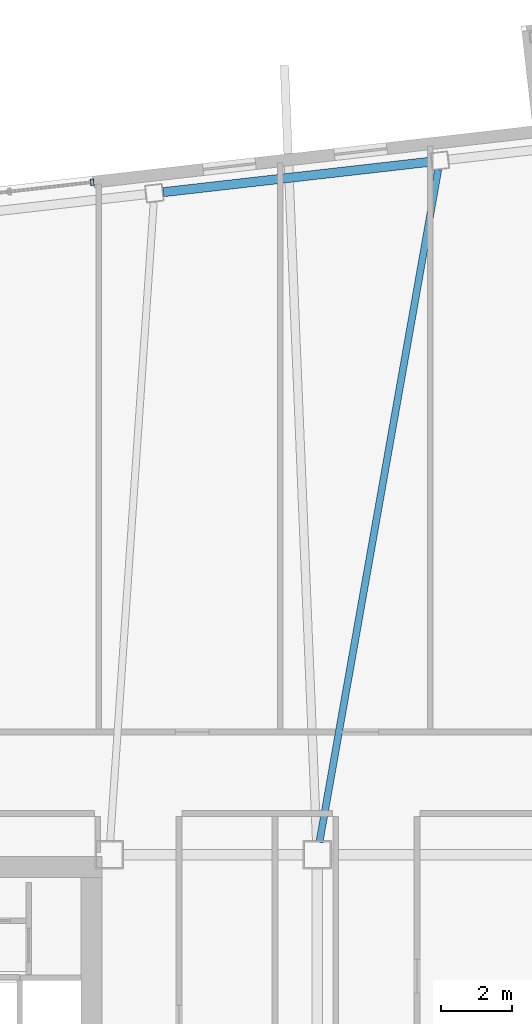
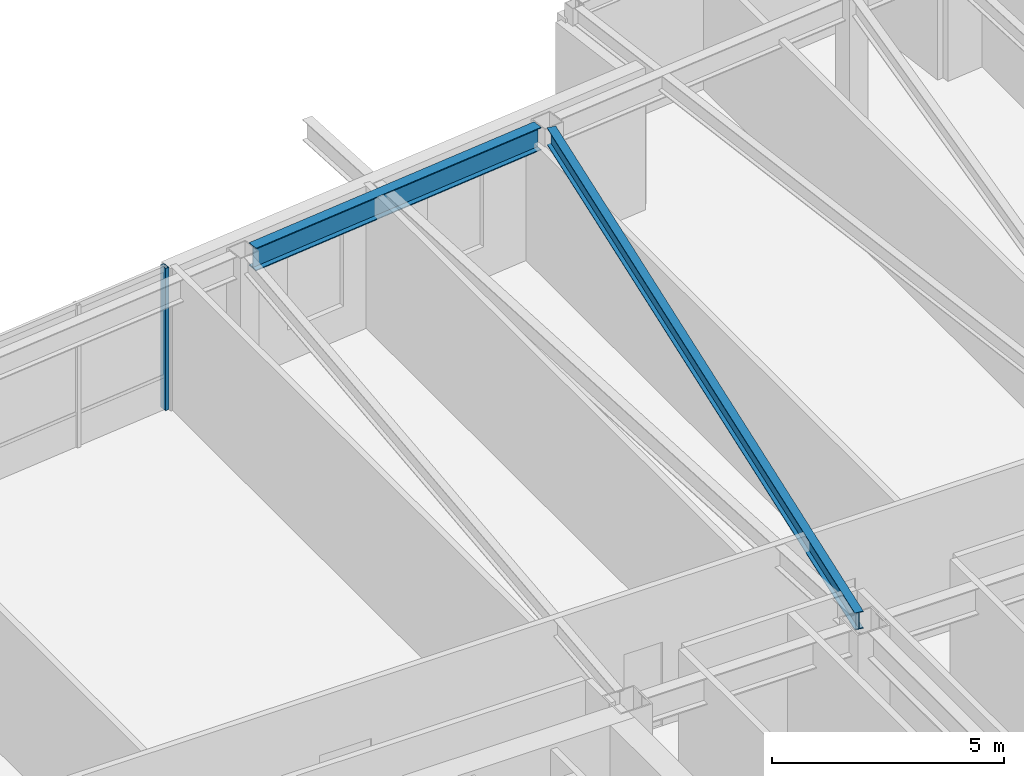
# One storey, part 12 of 21: 2 beams, 1 member, 1 element without a shape of its own.
"""IFC4 building model written with IfcOpenShell, lengths in metres."""

from ifc_helpers import new_model, si_unit, direction, frame, origin, origin_2d, place, context, subcontext, project, spatial, hollow_rectangle, i_section, extrude, material, layer, layer_set, material_profile, profile_set, type_object, element, aggregate, save


model = new_model("IFC4")

# Units and contexts
model_context = context("Model", 3, precision=1e-05, world=origin(), true_north=direction((0.0, 1.0)))
body_context = subcontext(model_context, "Body", "Model", "MODEL_VIEW")
ifc_project = project(units=[si_unit("LENGTHUNIT", "METRE"), si_unit("AREAUNIT", "SQUARE_METRE"), si_unit("VOLUMEUNIT", "CUBIC_METRE"), si_unit("PLANEANGLEUNIT", "RADIAN"), si_unit("MASSUNIT", "GRAM", prefix="KILO")], contexts=[model_context])

# Site, building, storey
site_placement = place(None, origin())
site = spatial("IfcSite", under=ifc_project, at=site_placement, CompositionType="ELEMENT")
building_placement = place(site_placement, origin())
building = spatial("IfcBuilding", under=site, at=building_placement, Name="Tavrogorsk Clinical Tower", CompositionType="ELEMENT")
storey_placement = place(building_placement, frame((0.0, 0.0, 247.0)))
storey = spatial("IfcBuildingStorey", under=building, at=storey_placement, Name="L57", CompositionType="ELEMENT", Elevation=247.0)

# Curtain wall, member
ifc_material_1 = material(Name="Anodised aluminium and triple IGU glazing", Category="aluminium")
ifc_layer = layer(ifc_material_1, 0.179931640625)
ifc_layer_set = layer_set([ifc_layer], Name="Anodised aluminium and triple IGU glazing")
curtain_wall_type = type_object("IfcCurtainWallType", Name="CW2_NorthSlot", PredefinedType="NOTDEFINED", material=ifc_layer_set)
curtain_wall_placement = place(storey_placement, origin())
curtain_wall = element("IfcCurtainWall", 1, at=curtain_wall_placement, inside=storey, type_object=curtain_wall_type, Name="L57 Curtain Wall CW-L57-N-SLOT-1", PredefinedType="NOTDEFINED")
ifc_material_2 = material(Name="Anodised aluminium alloy AW-6060", Category="aluminium")
ifc_material_profile_1 = material_profile(ifc_material_2, hollow_rectangle(XDim=0.090087890625, YDim=0.179931640625, WallThickness=0.00634765625, at=origin_2d()), Name="RHS-180x90x6.3")
ifc_profile_set_1 = profile_set([ifc_material_profile_1], Name="Anodised aluminium alloy AW-6060")
member_type = type_object("IfcMemberType", Name="CwMullion_180x90", PredefinedType="MULLION", material=ifc_profile_set_1)
member_placement = place(storey_placement, frame((-10.781982421875, 25.42529296875, 0.0), z_axis=(0.0, 0.0, 1.0), x_axis=(-0.993571855603, -0.11320321441, 0.0)))
member = element("IfcMember", 2, at=member_placement, type_object=member_type, Name="CW-L57-N-SLOT-1 Mullion 1", PredefinedType="MULLION", context=body_context, shape_type="SweptSolid", body=[
    extrude(hollow_rectangle(XDim=0.090087890625, YDim=0.179931640625, WallThickness=0.00634765625, at=origin_2d()), origin(), (0.0, 0.0, 1.0), 3.739990234375),
])
aggregate(curtain_wall, [member])

# Beams
ifc_material_3 = material(Name="Structural steel S355", Category="steel")
ifc_material_profile_2 = material_profile(ifc_material_3, i_section(OverallWidth=0.199951171875, OverallDepth=0.449951171875, WebThickness=0.011474609375, FlangeThickness=0.01806640625, at=origin_2d()), Name="B-450x200x11.5x18")
ifc_profile_set_2 = profile_set([ifc_material_profile_2], Name="Structural steel S355")
beam_type_1 = type_object("IfcBeamType", Name="FloorBeam_B450", PredefinedType="BEAM", material=ifc_profile_set_2)
beam_1_placement = place(storey_placement, frame((-4.33740234375, 6.70458984375, 3.514892578125), z_axis=(0.173894614236, 0.984764267802, 0.0), x_axis=(-0.984764267802, 0.173894614236, 0.0)))
element("IfcBeam", 3, at=beam_1_placement, inside=storey, type_object=beam_type_1, Name="L57 Radial Floor Beam N4", PredefinedType="BEAM", context=body_context, shape_type="SweptSolid", body=[
    extrude(i_section(OverallWidth=0.199951171875, OverallDepth=0.449951171875, WebThickness=0.011474609375, FlangeThickness=0.01806640625, at=origin_2d()), origin(), (0.0, 0.0, 1.0), 19.371826171875),
])
ifc_material_4 = material(Name="Structural steel S390", Category="steel")
ifc_material_profile_3 = material_profile(ifc_material_4, i_section(OverallWidth=0.260009765625, OverallDepth=0.60009765625, WebThickness=0.014892578125, FlangeThickness=0.02392578125, at=origin_2d()), Name="B-600x260x15x24")
ifc_profile_set_3 = profile_set([ifc_material_profile_3], Name="Structural steel S390")
beam_type_2 = type_object("IfcBeamType", Name="SpandrelBeam_B600", PredefinedType="SPANDREL", material=ifc_profile_set_3)
beam_2_placement = place(storey_placement, frame((-1.18017578125, 26.006103515625, 3.43994140625), z_axis=(-0.993568501687, -0.113232647478, 0.0), x_axis=(0.113232647478, -0.993568501687, 0.0)))
element("IfcBeam", 4, at=beam_2_placement, inside=storey, type_object=beam_type_2, Name="L57 Perimeter Spandrel N4-N5", PredefinedType="SPANDREL", context=body_context, shape_type="SweptSolid", body=[
    extrude(i_section(OverallWidth=0.260009765625, OverallDepth=0.60009765625, WebThickness=0.014892578125, FlangeThickness=0.02392578125, at=origin_2d()), origin(), (0.0, 0.0, 1.0), 7.632568359375),
])

save(model, "model.ifc")
